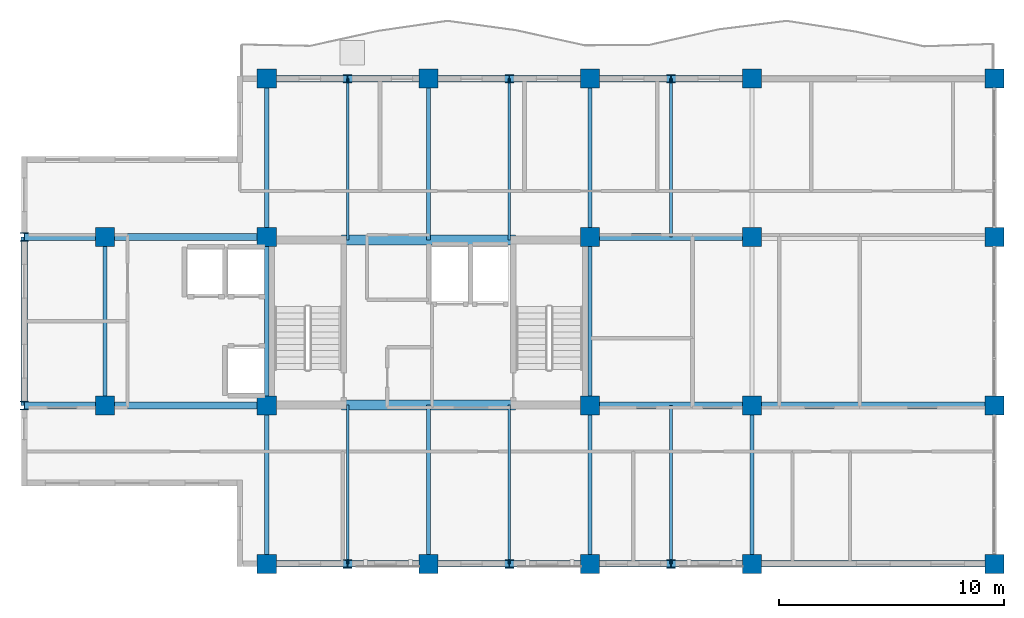
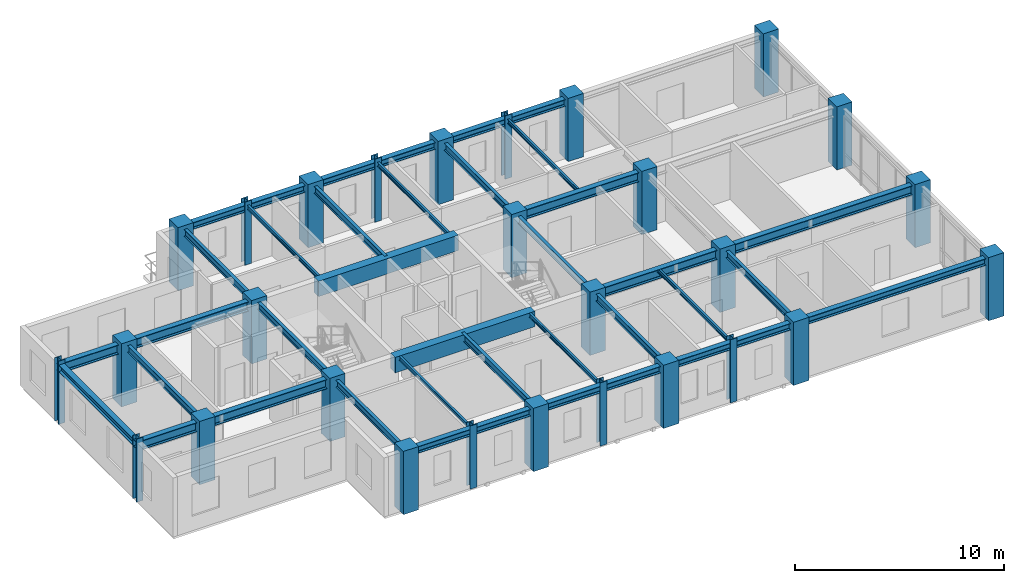
# One storey, part 1 of 10: 39 beams, 28 columns.
"""IFC4 building model written with IfcOpenShell, lengths in metres."""

from ifc_helpers import new_model, si_unit, direction, frame, origin, origin_2d, place, context, subcontext, project, spatial, rectangle, i_section, extrude, source, transform, mapped, material, material_profile, profile_set, type_object, element, save


model = new_model("IFC4")

# Units and contexts
model_context = context("Model", 3, precision=1e-05, world=origin(), true_north=direction((0.0, 1.0)))
body_context = subcontext(model_context, "Body", "Model", "MODEL_VIEW")
ifc_project = project(units=[si_unit("LENGTHUNIT", "METRE"), si_unit("AREAUNIT", "SQUARE_METRE"), si_unit("VOLUMEUNIT", "CUBIC_METRE"), si_unit("PLANEANGLEUNIT", "RADIAN"), si_unit("MASSUNIT", "GRAM", prefix="KILO")], contexts=[model_context])

# Site, building, storey
site_placement = place(None, origin())
site = spatial("IfcSite", under=ifc_project, at=site_placement, CompositionType="ELEMENT")
building_placement = place(site_placement, origin())
building = spatial("IfcBuilding", under=site, at=building_placement, Name="Kaliganga Portal Commons", CompositionType="ELEMENT")
storey_placement = place(building_placement, frame((0.0, 0.0, 286.89990234375)))
storey = spatial("IfcBuildingStorey", under=building, at=storey_placement, Name="L74", CompositionType="ELEMENT", Elevation=286.89990234375)

# Columns
ifc_material_1 = material(Name="Concrete C50/60", Category="concrete")
ifc_material_profile_1 = material_profile(ifc_material_1, rectangle(XDim=0.85009765625, YDim=0.85009765625, at=origin_2d()), Name="RC 850x850")
ifc_profile_set_1 = profile_set([ifc_material_profile_1], Name="Concrete C50/60")
column_type_1 = type_object("IfcColumnType", Name="COL-MEGA-Z5", PredefinedType="COLUMN", material=ifc_profile_set_1)
shared_shape_1 = source(origin(), body_context, "Body", "SweptSolid", [
    extrude(rectangle(XDim=0.85009765625, YDim=0.85009765625, at=origin_2d()), origin(), (0.0, 0.0, 1.0), 3.7001953125),
])
for number, where, z_axis, x_axis, name in (
    (1, (7.199951171875, 28.64990234375, 0.0), (0.0, 0.0, 1.0), (1.0, 0.0, 0.0), "Column MC-06 L74"),
    (2, (7.199951171875, 36.14990234375, 0.0), (0.0, 0.0, 1.0), (1.0, 0.0, 0.0), "Column MC-06 L74"),
    (3, (14.39990234375, 21.60009765625, 0.0), (0.0, 0.0, 1.0), (1.0, 0.0, 0.0), "Column MC-06 L74"),
    (4, (14.39990234375, 28.64990234375, 0.0), (0.0, 0.0, 1.0), (1.0, 0.0, 0.0), "Column MC-06 L74"),
    (5, (14.39990234375, 36.14990234375, 0.0), (0.0, 0.0, 1.0), (1.0, 0.0, 0.0), "Column MC-06 L74"),
    (6, (14.39990234375, 43.199951171875, 0.0), (0.0, 0.0, 1.0), (1.0, 0.0, 0.0), "Column MC-06 L74"),
    (7, (21.60009765625, 21.60009765625, 0.0), (0.0, 0.0, 1.0), (1.0, 0.0, 0.0), "Column MC-06 L74"),
    (8, (21.60009765625, 43.199951171875, 0.0), (0.0, 0.0, 1.0), (1.0, 0.0, 0.0), "Column MC-06 L74"),
    (9, (28.800048828125, 21.60009765625, 0.0), (0.0, 0.0, 1.0), (1.0, 0.0, 0.0), "Column MC-06 L74"),
    (10, (28.800048828125, 28.64990234375, 0.0), (0.0, 0.0, 1.0), (1.0, 0.0, 0.0), "Column MC-06 L74"),
    (11, (28.800048828125, 36.14990234375, 0.0), (0.0, 0.0, 1.0), (1.0, 0.0, 0.0), "Column MC-06 L74"),
    (12, (28.800048828125, 43.199951171875, 0.0), (0.0, 0.0, 1.0), (1.0, 0.0, 0.0), "Column MC-06 L74"),
    (13, (36.0, 21.60009765625, 0.0), (0.0, 0.0, 1.0), (1.0, 0.0, 0.0), "Column MC-06 L74"),
    (14, (36.0, 43.199951171875, 0.0), (0.0, 0.0, 1.0), (1.0, 0.0, 0.0), "Column MC-06 L74"),
    (15, (36.0, 28.64990234375, 0.0), (0.0, 0.0, 1.0), (1.0, 0.0, 0.0), "Column MC-06 L74"),
    (16, (36.0, 36.14990234375, 0.0), (0.0, 0.0, 1.0), (1.0, 0.0, 0.0), "Column MC-06 L74"),
    (17, (46.800048828125, 21.60009765625, 0.0), (0.0, 0.0, 1.0), (1.0, 0.0, 0.0), "Column MC-06 L74"),
    (18, (46.800048828125, 28.64990234375, 0.0), (0.0, 0.0, 1.0), (1.0, 0.0, 0.0), "Column MC-06 L74"),
    (19, (46.800048828125, 36.14990234375, 0.0), (0.0, 0.0, 1.0), (1.0, 0.0, 0.0), "Column MC-06 L74"),
    (20, (46.800048828125, 43.199951171875, 0.0), (0.0, 0.0, 1.0), (1.0, 0.0, 0.0), "Column MC-06 L74"),
):
    element("IfcColumn", number, at=place(storey_placement, frame(where, z_axis=z_axis, x_axis=x_axis)), inside=storey, type_object=column_type_1, Name=name, PredefinedType="COLUMN", context=body_context, shape_type="MappedRepresentation", body=[
        mapped(shared_shape_1, transform((0.0, 0.0, 0.0), x_axis=(1.0, 0.0, 0.0), y_axis=(0.0, 1.0, 0.0), z_axis=(0.0, 0.0, 1.0), scale=1.0)),
    ])
ifc_material_2 = material(Name="Structural steel S355J2", Category="steel")
ifc_material_profile_2 = material_profile(ifc_material_2, i_section(OverallWidth=0.3740234375, OverallDepth=0.3720703125, WebThickness=0.014892578125, FlangeThickness=0.02587890625, FilletRadius=0.014892578125, at=origin_2d()), Name="HD 360x196")
ifc_profile_set_2 = profile_set([ifc_material_profile_2], Name="Structural steel S355J2 wide-flange")
column_type_2 = type_object("IfcColumnType", Name="COL-TUBE-B5", PredefinedType="COLUMN", material=ifc_profile_set_2)
shared_shape_2 = source(origin(), body_context, "Body", "SweptSolid", [
    extrude(i_section(OverallWidth=0.3740234375, OverallDepth=0.3720703125, WebThickness=0.014892578125, FlangeThickness=0.02587890625, FilletRadius=0.014892578125, at=origin_2d()), origin(), (0.0, 0.0, 1.0), 3.7001953125),
])
for number, where, z_axis, x_axis, name in (
    (21, (3.60009765625, 28.64990234375, 0.0), (0.0, 0.0, 1.0), (1.0, 0.0, 0.0), "Column TC-05 L74"),
    (22, (3.60009765625, 36.14990234375, 0.0), (0.0, 0.0, 1.0), (1.0, 0.0, 0.0), "Column TC-05 L74"),
    (23, (18.0, 21.60009765625, 0.0), (0.0, 0.0, 1.0), (1.0, 0.0, 0.0), "Column TC-05 L74"),
    (24, (18.0, 43.199951171875, 0.0), (0.0, 0.0, 1.0), (1.0, 0.0, 0.0), "Column TC-05 L74"),
    (25, (25.199951171875, 21.60009765625, 0.0), (0.0, 0.0, 1.0), (1.0, 0.0, 0.0), "Column TC-05 L74"),
    (26, (25.199951171875, 43.199951171875, 0.0), (0.0, 0.0, 1.0), (1.0, 0.0, 0.0), "Column TC-05 L74"),
    (27, (32.39990234375, 21.60009765625, 0.0), (0.0, 0.0, 1.0), (1.0, 0.0, 0.0), "Column TC-05 L74"),
    (28, (32.39990234375, 43.199951171875, 0.0), (0.0, 0.0, 1.0), (1.0, 0.0, 0.0), "Column TC-05 L74"),
):
    element("IfcColumn", number, at=place(storey_placement, frame(where, z_axis=z_axis, x_axis=x_axis)), inside=storey, type_object=column_type_2, Name=name, PredefinedType="COLUMN", context=body_context, shape_type="MappedRepresentation", body=[
        mapped(shared_shape_2, transform((0.0, 0.0, 0.0), x_axis=(1.0, 0.0, 0.0), y_axis=(0.0, 1.0, 0.0), z_axis=(0.0, 0.0, 1.0), scale=1.0)),
    ])

# Beams
ifc_material_profile_3 = material_profile(ifc_material_1, rectangle(XDim=0.449951171875, YDim=0.89990234375, at=origin_2d()), Name="RC 450x900")
ifc_profile_set_3 = profile_set([ifc_material_profile_3], Name="Concrete C50/60")
beam_type_1 = type_object("IfcBeamType", Name="BM-CPL-900", PredefinedType="LINTEL", material=ifc_profile_set_3)
shared_shape_3 = source(origin(), body_context, "Body", "SweptSolid", [
    extrude(rectangle(XDim=0.449951171875, YDim=0.89990234375, at=origin_2d()), origin(), (0.0, 0.0, 1.0), 7.739990234375),
])
for number, where, z_axis, x_axis, name in (
    (29, (17.72998046875, 28.675048828125, 3.025146484375), (1.0, 0.0, 0.0), (0.0, 1.0, 0.0), "BM CPL COREA L74 S"),
    (30, (17.72998046875, 36.02490234375, 3.025146484375), (1.0, 0.0, 0.0), (0.0, 1.0, 0.0), "BM CPL COREA L74 N"),
):
    element("IfcBeam", number, at=place(storey_placement, frame(where, z_axis=z_axis, x_axis=x_axis)), inside=storey, type_object=beam_type_1, Name=name, PredefinedType="LINTEL", context=body_context, shape_type="MappedRepresentation", body=[
        mapped(shared_shape_3, transform((0.0, 0.0, 0.0), x_axis=(1.0, 0.0, 0.0), y_axis=(0.0, 1.0, 0.0), z_axis=(0.0, 0.0, 1.0), scale=1.0)),
    ])
ifc_material_profile_4 = material_profile(ifc_material_2, i_section(OverallWidth=0.300048828125, OverallDepth=0.39990234375, WebThickness=0.013427734375, FlangeThickness=0.02392578125, FilletRadius=0.027099609375, at=origin_2d()), Name="HE 400 B")
ifc_profile_set_4 = profile_set([ifc_material_profile_4], Name="Structural steel S355J2 wide-flange")
beam_type_2 = type_object("IfcBeamType", Name="BM-SPAND-400", PredefinedType="SPANDREL", material=ifc_profile_set_4)
shared_shape_4 = source(origin(), body_context, "Body", "SweptSolid", [
    extrude(i_section(OverallWidth=0.300048828125, OverallDepth=0.39990234375, WebThickness=0.013427734375, FlangeThickness=0.02392578125, FilletRadius=0.027099609375, at=origin_2d()), origin(), (0.0, 0.0, 1.0), 3.60009765625),
])
for number, where, z_axis, x_axis, name in (
    (31, (14.39990234375, 43.199951171875, 3.275146484375), (1.0, 0.0, 0.0), (0.0, 1.0, 0.0), "BM SP L74 AN 1"),
    (32, (18.0, 43.199951171875, 3.275146484375), (1.0, 0.0, 0.0), (0.0, 1.0, 0.0), "BM SP L74 AN 2"),
    (33, (25.199951171875, 43.199951171875, 3.275146484375), (1.0, 0.0, 0.0), (0.0, 1.0, 0.0), "BM SP L74 AN 4"),
    (34, (32.39990234375, 43.199951171875, 3.275146484375), (1.0, 0.0, 0.0), (0.0, 1.0, 0.0), "BM SP L74 AN 6"),
    (35, (14.39990234375, 21.60009765625, 3.275146484375), (1.0, 0.0, 0.0), (0.0, 1.0, 0.0), "BM SP L74 AS 1"),
    (36, (18.0, 21.60009765625, 3.275146484375), (1.0, 0.0, 0.0), (0.0, 1.0, 0.0), "BM SP L74 AS 2"),
    (37, (25.199951171875, 21.60009765625, 3.275146484375), (1.0, 0.0, 0.0), (0.0, 1.0, 0.0), "BM SP L74 AS 4"),
    (38, (32.39990234375, 21.60009765625, 3.275146484375), (1.0, 0.0, 0.0), (0.0, 1.0, 0.0), "BM SP L74 AS 6"),
):
    element("IfcBeam", number, at=place(storey_placement, frame(where, z_axis=z_axis, x_axis=x_axis)), inside=storey, type_object=beam_type_2, Name=name, PredefinedType="SPANDREL", context=body_context, shape_type="MappedRepresentation", body=[
        mapped(shared_shape_4, transform((0.0, 0.0, 0.0), x_axis=(1.0, 0.0, 0.0), y_axis=(0.0, 1.0, 0.0), z_axis=(0.0, 0.0, 1.0), scale=1.0)),
    ])
shared_shape_5 = source(origin(), body_context, "Body", "SweptSolid", [
    extrude(i_section(OverallWidth=0.300048828125, OverallDepth=0.39990234375, WebThickness=0.013427734375, FlangeThickness=0.02392578125, FilletRadius=0.027099609375, at=origin_2d()), origin(), (0.0, 0.0, 1.0), 3.599853515625),
])
for number, where, z_axis, x_axis, name in (
    (39, (21.60009765625, 43.199951171875, 3.275146484375), (1.0, 0.0, 0.0), (0.0, 1.0, 0.0), "BM SP L74 AN 3"),
    (40, (28.800048828125, 43.199951171875, 3.275146484375), (1.0, 0.0, 0.0), (0.0, 1.0, 0.0), "BM SP L74 AN 5"),
    (41, (21.60009765625, 21.60009765625, 3.275146484375), (1.0, 0.0, 0.0), (0.0, 1.0, 0.0), "BM SP L74 AS 3"),
    (42, (28.800048828125, 21.60009765625, 3.275146484375), (1.0, 0.0, 0.0), (0.0, 1.0, 0.0), "BM SP L74 AS 5"),
):
    element("IfcBeam", number, at=place(storey_placement, frame(where, z_axis=z_axis, x_axis=x_axis)), inside=storey, type_object=beam_type_2, Name=name, PredefinedType="SPANDREL", context=body_context, shape_type="MappedRepresentation", body=[
        mapped(shared_shape_5, transform((0.0, 0.0, 0.0), x_axis=(1.0, 0.0, 0.0), y_axis=(0.0, 1.0, 0.0), z_axis=(0.0, 0.0, 1.0), scale=1.0)),
    ])
shared_shape_6 = source(origin(), body_context, "Body", "SweptSolid", [
    extrude(i_section(OverallWidth=0.300048828125, OverallDepth=0.39990234375, WebThickness=0.013427734375, FlangeThickness=0.02392578125, FilletRadius=0.027099609375, at=origin_2d()), origin(), (0.0, 0.0, 1.0), 10.800048828125),
])
beam_1_placement = place(storey_placement, frame((36.0, 21.60009765625, 3.275146484375), z_axis=(1.0, 0.0, 0.0), x_axis=(0.0, 1.0, 0.0)))
element("IfcBeam", 43, at=beam_1_placement, inside=storey, type_object=beam_type_2, Name="BM SP L74 AS 7", PredefinedType="SPANDREL", context=body_context, shape_type="MappedRepresentation", body=[
    mapped(shared_shape_6, transform((0.0, 0.0, 0.0), x_axis=(1.0, 0.0, 0.0), y_axis=(0.0, 1.0, 0.0), z_axis=(0.0, 0.0, 1.0), scale=1.0)),
])
ifc_material_profile_5 = material_profile(ifc_material_2, i_section(OverallWidth=0.300048828125, OverallDepth=0.550048828125, WebThickness=0.014892578125, FlangeThickness=0.029052734375, FilletRadius=0.027099609375, at=origin_2d()), Name="HE 550 B")
ifc_profile_set_5 = profile_set([ifc_material_profile_5], Name="Structural steel S355J2 wide-flange")
beam_type_3 = type_object("IfcBeamType", Name="BM-GIRD-550", PredefinedType="USERDEFINED", material=ifc_profile_set_5)
shared_shape_7 = source(origin(), body_context, "Body", "SweptSolid", [
    extrude(i_section(OverallWidth=0.300048828125, OverallDepth=0.550048828125, WebThickness=0.014892578125, FlangeThickness=0.029052734375, FilletRadius=0.027099609375, at=origin_2d()), origin(), (0.0, 0.0, 1.0), 7.199951171875),
])
for number, where, z_axis, x_axis, name in (
    (44, (7.199951171875, 28.64990234375, 3.2001953125), (1.0, 0.0, 0.0), (0.0, 1.0, 0.0), "BM G L74 WAH_S 2"),
    (45, (7.199951171875, 36.14990234375, 3.2001953125), (1.0, 0.0, 0.0), (0.0, 1.0, 0.0), "BM G L74 WAH_N 2"),
    (46, (28.800048828125, 28.64990234375, 3.2001953125), (1.0, 0.0, 0.0), (0.0, 1.0, 0.0), "BM G L74 WAE_S 1"),
    (47, (28.800048828125, 36.14990234375, 3.2001953125), (1.0, 0.0, 0.0), (0.0, 1.0, 0.0), "BM G L74 WAE_N 1"),
):
    element("IfcBeam", number, at=place(storey_placement, frame(where, z_axis=z_axis, x_axis=x_axis)), inside=storey, type_object=beam_type_3, Name=name, ObjectType="GIRDER", PredefinedType="USERDEFINED", context=body_context, shape_type="MappedRepresentation", body=[
        mapped(shared_shape_7, transform((0.0, 0.0, 0.0), x_axis=(1.0, 0.0, 0.0), y_axis=(0.0, 1.0, 0.0), z_axis=(0.0, 0.0, 1.0), scale=1.0)),
    ])
shared_shape_8 = source(origin(), body_context, "Body", "SweptSolid", [
    extrude(i_section(OverallWidth=0.300048828125, OverallDepth=0.550048828125, WebThickness=0.014892578125, FlangeThickness=0.029052734375, FilletRadius=0.027099609375, at=origin_2d()), origin(), (0.0, 0.0, 1.0), 10.800048828125),
])
beam_2_placement = place(storey_placement, frame((36.0, 28.64990234375, 3.2001953125), z_axis=(1.0, 0.0, 0.0), x_axis=(0.0, 1.0, 0.0)))
element("IfcBeam", 48, at=beam_2_placement, inside=storey, type_object=beam_type_3, Name="BM G L74 WAE_S 2", ObjectType="GIRDER", PredefinedType="USERDEFINED", context=body_context, shape_type="MappedRepresentation", body=[
    mapped(shared_shape_8, transform((0.0, 0.0, 0.0), x_axis=(1.0, 0.0, 0.0), y_axis=(0.0, 1.0, 0.0), z_axis=(0.0, 0.0, 1.0), scale=1.0)),
])
shared_shape_9 = source(origin(), body_context, "Body", "SweptSolid", [
    extrude(i_section(OverallWidth=0.300048828125, OverallDepth=0.550048828125, WebThickness=0.014892578125, FlangeThickness=0.029052734375, FilletRadius=0.027099609375, at=origin_2d()), origin(), (0.0, 0.0, 1.0), 3.599853515625),
])
for number, where, z_axis, x_axis, name in (
    (49, (3.60009765625, 28.64990234375, 3.2001953125), (1.0, 0.0, 0.0), (0.0, 1.0, 0.0), "BM G L74 WAH_S 1"),
    (50, (3.60009765625, 36.14990234375, 3.2001953125), (1.0, 0.0, 0.0), (0.0, 1.0, 0.0), "BM G L74 WAH_N 1"),
):
    element("IfcBeam", number, at=place(storey_placement, frame(where, z_axis=z_axis, x_axis=x_axis)), inside=storey, type_object=beam_type_3, Name=name, ObjectType="GIRDER", PredefinedType="USERDEFINED", context=body_context, shape_type="MappedRepresentation", body=[
        mapped(shared_shape_9, transform((0.0, 0.0, 0.0), x_axis=(1.0, 0.0, 0.0), y_axis=(0.0, 1.0, 0.0), z_axis=(0.0, 0.0, 1.0), scale=1.0)),
    ])
shared_shape_10 = source(origin(), body_context, "Body", "SweptSolid", [
    extrude(i_section(OverallWidth=0.300048828125, OverallDepth=0.39990234375, WebThickness=0.013427734375, FlangeThickness=0.02392578125, FilletRadius=0.027099609375, at=origin_2d()), origin(), (0.0, 0.0, 1.0), 7.5),
])
beam_3_placement = place(storey_placement, frame((3.60009765625, 28.64990234375, 3.275146484375), z_axis=(0.0, 1.0, 0.0), x_axis=(-1.0, 0.0, 0.0)))
element("IfcBeam", 51, at=beam_3_placement, inside=storey, type_object=beam_type_2, Name="BM SP L74 AW", PredefinedType="SPANDREL", context=body_context, shape_type="MappedRepresentation", body=[
    mapped(shared_shape_10, transform((0.0, 0.0, 0.0), x_axis=(1.0, 0.0, 0.0), y_axis=(0.0, 1.0, 0.0), z_axis=(0.0, 0.0, 1.0), scale=1.0)),
])
ifc_material_profile_6 = material_profile(ifc_material_2, i_section(OverallWidth=0.179931640625, OverallDepth=0.39990234375, WebThickness=0.008544921875, FlangeThickness=0.013427734375, FilletRadius=0.02099609375, at=origin_2d()), Name="IPE 400")
ifc_profile_set_6 = profile_set([ifc_material_profile_6], Name="Structural steel S355J2 wide-flange")
beam_type_4 = type_object("IfcBeamType", Name="BM-FLR-400", PredefinedType="BEAM", material=ifc_profile_set_6)
shared_shape_11 = source(origin(), body_context, "Body", "SweptSolid", [
    extrude(i_section(OverallWidth=0.179931640625, OverallDepth=0.39990234375, WebThickness=0.008544921875, FlangeThickness=0.013427734375, FilletRadius=0.02099609375, at=origin_2d()), origin(), (0.0, 0.0, 1.0), 7.5),
])
for number, where, z_axis, x_axis, name in (
    (52, (7.199951171875, 28.64990234375, 3.275146484375), (0.0, 1.0, 0.0), (-1.0, 0.0, 0.0), "BM G L74 AW72"),
    (53, (14.39990234375, 28.64990234375, 3.275146484375), (0.0, 1.0, 0.0), (-1.0, 0.0, 0.0), "BM G L74 AM144"),
    (54, (28.800048828125, 28.64990234375, 3.275146484375), (0.0, 1.0, 0.0), (-1.0, 0.0, 0.0), "BM G L74 AM288"),
):
    element("IfcBeam", number, at=place(storey_placement, frame(where, z_axis=z_axis, x_axis=x_axis)), inside=storey, type_object=beam_type_4, Name=name, PredefinedType="BEAM", context=body_context, shape_type="MappedRepresentation", body=[
        mapped(shared_shape_11, transform((0.0, 0.0, 0.0), x_axis=(1.0, 0.0, 0.0), y_axis=(0.0, 1.0, 0.0), z_axis=(0.0, 0.0, 1.0), scale=1.0)),
    ])
shared_shape_12 = source(origin(), body_context, "Body", "SweptSolid", [
    extrude(i_section(OverallWidth=0.179931640625, OverallDepth=0.39990234375, WebThickness=0.008544921875, FlangeThickness=0.013427734375, FilletRadius=0.02099609375, at=origin_2d()), origin(), (0.0, 0.0, 1.0), 7.050048828125),
])
for number, where, z_axis, x_axis, name in (
    (55, (14.39990234375, 36.14990234375, 3.275146484375), (0.0, 1.0, 0.0), (-1.0, 0.0, 0.0), "BM G L74 AN144"),
    (56, (28.800048828125, 36.14990234375, 3.275146484375), (0.0, 1.0, 0.0), (-1.0, 0.0, 0.0), "BM G L74 AN288"),
):
    element("IfcBeam", number, at=place(storey_placement, frame(where, z_axis=z_axis, x_axis=x_axis)), inside=storey, type_object=beam_type_4, Name=name, PredefinedType="BEAM", context=body_context, shape_type="MappedRepresentation", body=[
        mapped(shared_shape_12, transform((0.0, 0.0, 0.0), x_axis=(1.0, 0.0, 0.0), y_axis=(0.0, 1.0, 0.0), z_axis=(0.0, 0.0, 1.0), scale=1.0)),
    ])
shared_shape_13 = source(origin(), body_context, "Body", "SweptSolid", [
    extrude(i_section(OverallWidth=0.179931640625, OverallDepth=0.39990234375, WebThickness=0.008544921875, FlangeThickness=0.013427734375, FilletRadius=0.02099609375, at=origin_2d()), origin(), (0.0, 0.0, 1.0), 7.0498046875),
])
for number, where, z_axis, x_axis, name in (
    (57, (14.39990234375, 21.60009765625, 3.275146484375), (0.0, 1.0, 0.0), (-1.0, 0.0, 0.0), "BM G L74 AS144"),
    (58, (28.800048828125, 21.60009765625, 3.275146484375), (0.0, 1.0, 0.0), (-1.0, 0.0, 0.0), "BM G L74 AS288"),
    (59, (36.0, 21.60009765625, 3.275146484375), (0.0, 1.0, 0.0), (-1.0, 0.0, 0.0), "BM G L74 AS360"),
):
    element("IfcBeam", number, at=place(storey_placement, frame(where, z_axis=z_axis, x_axis=x_axis)), inside=storey, type_object=beam_type_4, Name=name, PredefinedType="BEAM", context=body_context, shape_type="MappedRepresentation", body=[
        mapped(shared_shape_13, transform((0.0, 0.0, 0.0), x_axis=(1.0, 0.0, 0.0), y_axis=(0.0, 1.0, 0.0), z_axis=(0.0, 0.0, 1.0), scale=1.0)),
    ])
shared_shape_14 = source(origin(), body_context, "Body", "SweptSolid", [
    extrude(i_section(OverallWidth=0.179931640625, OverallDepth=0.39990234375, WebThickness=0.008544921875, FlangeThickness=0.013427734375, FilletRadius=0.02099609375, at=origin_2d()), origin(), (0.0, 0.0, 1.0), 7.175048828125),
])
beam_4_placement = place(storey_placement, frame((21.60009765625, 36.02490234375, 3.275146484375), z_axis=(0.0, 1.0, 0.0), x_axis=(-1.0, 0.0, 0.0)))
element("IfcBeam", 60, at=beam_4_placement, inside=storey, type_object=beam_type_4, Name="BM G L74 AN216", PredefinedType="BEAM", context=body_context, shape_type="MappedRepresentation", body=[
    mapped(shared_shape_14, transform((0.0, 0.0, 0.0), x_axis=(1.0, 0.0, 0.0), y_axis=(0.0, 1.0, 0.0), z_axis=(0.0, 0.0, 1.0), scale=1.0)),
])
shared_shape_15 = source(origin(), body_context, "Body", "SweptSolid", [
    extrude(i_section(OverallWidth=0.179931640625, OverallDepth=0.39990234375, WebThickness=0.008544921875, FlangeThickness=0.013427734375, FilletRadius=0.02099609375, at=origin_2d()), origin(), (0.0, 0.0, 1.0), 7.074951171875),
])
beam_5_placement = place(storey_placement, frame((21.60009765625, 21.60009765625, 3.275146484375), z_axis=(0.0, 1.0, 0.0), x_axis=(-1.0, 0.0, 0.0)))
element("IfcBeam", 61, at=beam_5_placement, inside=storey, type_object=beam_type_4, Name="BM G L74 AS216", PredefinedType="BEAM", context=body_context, shape_type="MappedRepresentation", body=[
    mapped(shared_shape_15, transform((0.0, 0.0, 0.0), x_axis=(1.0, 0.0, 0.0), y_axis=(0.0, 1.0, 0.0), z_axis=(0.0, 0.0, 1.0), scale=1.0)),
])
ifc_material_profile_7 = material_profile(ifc_material_2, i_section(OverallWidth=0.1201171875, OverallDepth=0.239990234375, WebThickness=0.006103515625, FlangeThickness=0.009765625, FilletRadius=0.014892578125, at=origin_2d()), Name="IPE 240")
ifc_profile_set_7 = profile_set([ifc_material_profile_7], Name="Structural steel S355J2 wide-flange")
beam_type_5 = type_object("IfcBeamType", Name="BM-JST-240", PredefinedType="JOIST", material=ifc_profile_set_7)
shared_shape_16 = source(origin(), body_context, "Body", "SweptSolid", [
    extrude(i_section(OverallWidth=0.1201171875, OverallDepth=0.239990234375, WebThickness=0.006103515625, FlangeThickness=0.009765625, FilletRadius=0.014892578125, at=origin_2d()), origin(), (0.0, 0.0, 1.0), 7.175048828125),
])
for number, where, z_axis, x_axis, name in (
    (62, (18.0, 36.02490234375, 3.35498046875), (0.0, 1.0, 0.0), (-1.0, 0.0, 0.0), "BM G L74 AN180"),
    (63, (25.199951171875, 36.02490234375, 3.35498046875), (0.0, 1.0, 0.0), (-1.0, 0.0, 0.0), "BM G L74 AN252"),
):
    element("IfcBeam", number, at=place(storey_placement, frame(where, z_axis=z_axis, x_axis=x_axis)), inside=storey, type_object=beam_type_5, Name=name, PredefinedType="JOIST", context=body_context, shape_type="MappedRepresentation", body=[
        mapped(shared_shape_16, transform((0.0, 0.0, 0.0), x_axis=(1.0, 0.0, 0.0), y_axis=(0.0, 1.0, 0.0), z_axis=(0.0, 0.0, 1.0), scale=1.0)),
    ])
shared_shape_17 = source(origin(), body_context, "Body", "SweptSolid", [
    extrude(i_section(OverallWidth=0.1201171875, OverallDepth=0.239990234375, WebThickness=0.006103515625, FlangeThickness=0.009765625, FilletRadius=0.014892578125, at=origin_2d()), origin(), (0.0, 0.0, 1.0), 7.074951171875),
])
for number, where, z_axis, x_axis, name in (
    (64, (18.0, 21.60009765625, 3.35498046875), (0.0, 1.0, 0.0), (-1.0, 0.0, 0.0), "BM G L74 AS180"),
    (65, (25.199951171875, 21.60009765625, 3.35498046875), (0.0, 1.0, 0.0), (-1.0, 0.0, 0.0), "BM G L74 AS252"),
):
    element("IfcBeam", number, at=place(storey_placement, frame(where, z_axis=z_axis, x_axis=x_axis)), inside=storey, type_object=beam_type_5, Name=name, PredefinedType="JOIST", context=body_context, shape_type="MappedRepresentation", body=[
        mapped(shared_shape_17, transform((0.0, 0.0, 0.0), x_axis=(1.0, 0.0, 0.0), y_axis=(0.0, 1.0, 0.0), z_axis=(0.0, 0.0, 1.0), scale=1.0)),
    ])
shared_shape_18 = source(origin(), body_context, "Body", "SweptSolid", [
    extrude(i_section(OverallWidth=0.1201171875, OverallDepth=0.239990234375, WebThickness=0.006103515625, FlangeThickness=0.009765625, FilletRadius=0.014892578125, at=origin_2d()), origin(), (0.0, 0.0, 1.0), 7.050048828125),
])
beam_6_placement = place(storey_placement, frame((32.39990234375, 36.14990234375, 3.35498046875), z_axis=(0.0, 1.0, 0.0), x_axis=(-1.0, 0.0, 0.0)))
element("IfcBeam", 66, at=beam_6_placement, inside=storey, type_object=beam_type_5, Name="BM G L74 AN324", PredefinedType="JOIST", context=body_context, shape_type="MappedRepresentation", body=[
    mapped(shared_shape_18, transform((0.0, 0.0, 0.0), x_axis=(1.0, 0.0, 0.0), y_axis=(0.0, 1.0, 0.0), z_axis=(0.0, 0.0, 1.0), scale=1.0)),
])
shared_shape_19 = source(origin(), body_context, "Body", "SweptSolid", [
    extrude(i_section(OverallWidth=0.1201171875, OverallDepth=0.239990234375, WebThickness=0.006103515625, FlangeThickness=0.009765625, FilletRadius=0.014892578125, at=origin_2d()), origin(), (0.0, 0.0, 1.0), 7.0498046875),
])
beam_7_placement = place(storey_placement, frame((32.39990234375, 21.60009765625, 3.35498046875), z_axis=(0.0, 1.0, 0.0), x_axis=(-1.0, 0.0, 0.0)))
element("IfcBeam", 67, at=beam_7_placement, inside=storey, type_object=beam_type_5, Name="BM G L74 AS324", PredefinedType="JOIST", context=body_context, shape_type="MappedRepresentation", body=[
    mapped(shared_shape_19, transform((0.0, 0.0, 0.0), x_axis=(1.0, 0.0, 0.0), y_axis=(0.0, 1.0, 0.0), z_axis=(0.0, 0.0, 1.0), scale=1.0)),
])

save(model, "model.ifc")
